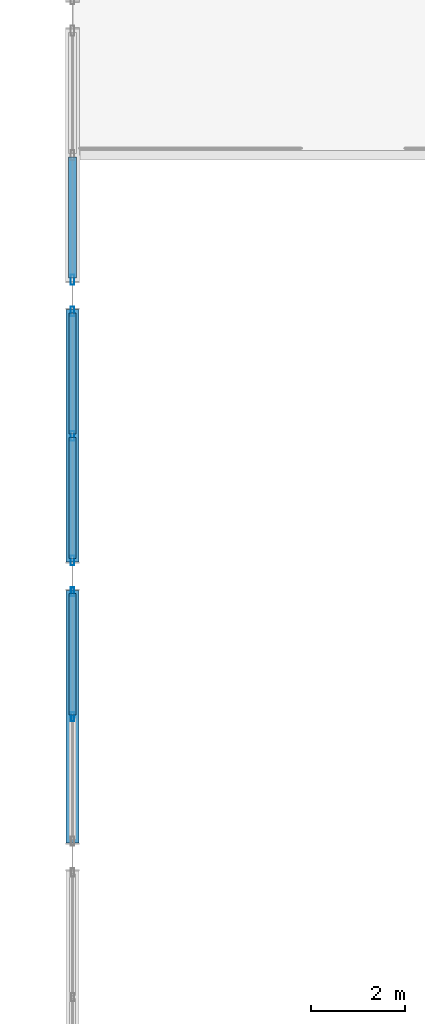
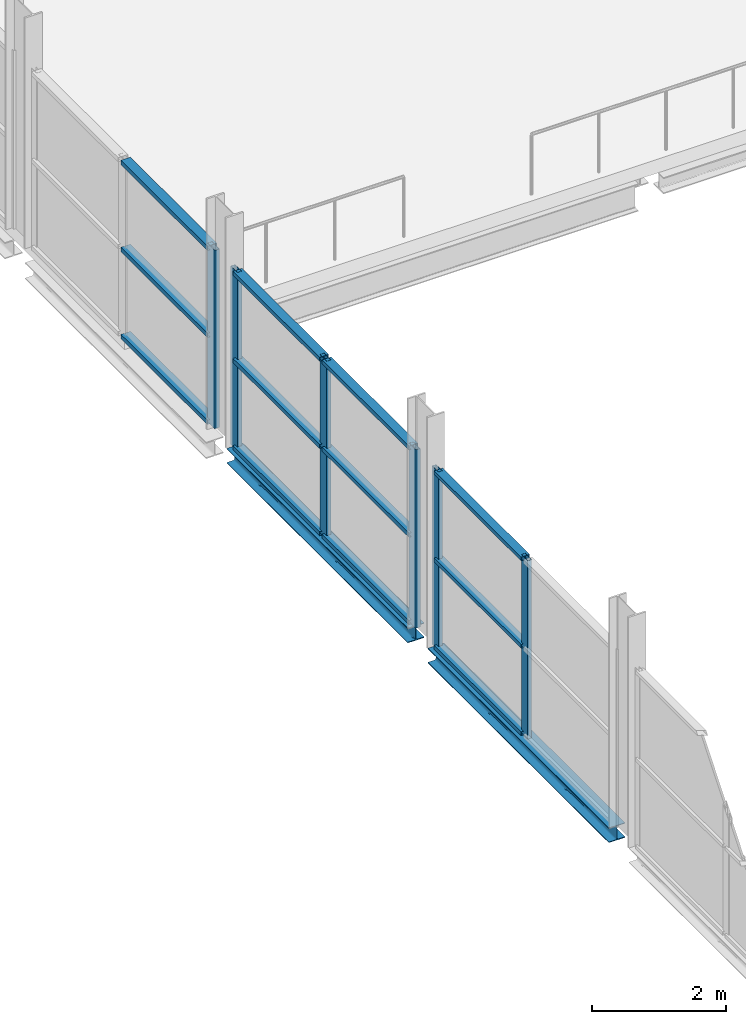
# One storey, part 27 of 135: 18 members, 2 beams, 3 elements without a shape of their own.
"""IFC4 building model written with IfcOpenShell, lengths in metres."""

from ifc_helpers import new_model, si_unit, direction, frame, origin, origin_2d, place, context, subcontext, project, spatial, hollow_rectangle, i_section, extrude, material, layer, layer_set, material_profile, profile_set, type_object, element, aggregate, save


model = new_model("IFC4")

# Units and contexts
model_context = context("Model", 3, precision=1e-05, world=origin(), true_north=direction((0.0, 1.0)))
body_context = subcontext(model_context, "Body", "Model", "MODEL_VIEW")
ifc_project = project(units=[si_unit("LENGTHUNIT", "METRE"), si_unit("AREAUNIT", "SQUARE_METRE"), si_unit("VOLUMEUNIT", "CUBIC_METRE"), si_unit("PLANEANGLEUNIT", "RADIAN"), si_unit("MASSUNIT", "GRAM", prefix="KILO")], contexts=[model_context])

# Site, building, storey
site_placement = place(None, origin())
site = spatial("IfcSite", under=ifc_project, at=site_placement, CompositionType="ELEMENT")
building_placement = place(site_placement, origin())
building = spatial("IfcBuilding", under=site, at=building_placement, Name="Deido Ridge Mobility Hub", CompositionType="ELEMENT")
storey_placement = place(building_placement, frame((0.0, 0.0, 4.199951171875)))
storey = spatial("IfcBuildingStorey", under=building, at=storey_placement, Name="L01", CompositionType="ELEMENT", Elevation=4.199951171875)

# Curtain wall, members
ifc_material_1 = material(Name="Anodised aluminium EN AW-6063 T6", Category="aluminium")
ifc_layer_1 = layer(ifc_material_1, 0.239990234375, Name="Anodised aluminium EN AW-6063 T6")
ifc_layer_set_1 = layer_set([ifc_layer_1], Name="Anodised aluminium EN AW-6063 T6")
curtain_wall_type_1 = type_object("IfcCurtainWallType", Name="CW-UF-6", PredefinedType="USERDEFINED", material=ifc_layer_set_1)
curtain_wall_1_placement = place(storey_placement, origin())
curtain_wall_1 = element("IfcCurtainWall", 1, at=curtain_wall_1_placement, inside=storey, type_object=curtain_wall_type_1, Name="Unitised curtain wall CW6", ObjectType="UNITISED FACADE", PredefinedType="USERDEFINED")
ifc_material_profile_1 = material_profile(ifc_material_1, hollow_rectangle(XDim=0.070068359375, YDim=0.18994140625, WallThickness=0.00390625, at=origin_2d()), Name="RHS 70x190x4")
ifc_profile_set_1 = profile_set([ifc_material_profile_1], Name="Anodised aluminium EN AW-6063 T6")
member_type_1 = type_object("IfcMemberType", Name="MEM-MUL-70X190", PredefinedType="MULLION", material=ifc_profile_set_1)
member_1_placement = place(storey_placement, frame((0.0, 15.0, 0.0), z_axis=(0.0, 0.0, 1.0), x_axis=(-1.0, 0.0, 0.0)))
member_1 = element("IfcMember", 2, at=member_1_placement, type_object=member_type_1, Name="CW6 mullion 2", PredefinedType="MULLION", context=body_context, shape_type="SweptSolid", body=[
    extrude(hollow_rectangle(XDim=0.070068359375, YDim=0.18994140625, WallThickness=0.00390625, at=origin_2d()), origin(), (0.0, 0.0, 1.0), 3.25),
])
member_2_placement = place(storey_placement, frame((0.0, 17.6650390625, 0.0), z_axis=(0.0, 0.0, 1.0), x_axis=(-1.0, 0.0, 0.0)))
member_2 = element("IfcMember", 3, at=member_2_placement, type_object=member_type_1, Name="CW6 mullion 3", PredefinedType="MULLION", context=body_context, shape_type="SweptSolid", body=[
    extrude(hollow_rectangle(XDim=0.070068359375, YDim=0.18994140625, WallThickness=0.00390625, at=origin_2d()), origin(), (0.0, 0.0, 1.0), 3.25),
])

ifc_layer_2 = layer(ifc_material_1, 0.2548828125, Name="Anodised aluminium EN AW-6063 T6")
ifc_layer_set_2 = layer_set([ifc_layer_2], Name="Anodised aluminium EN AW-6063 T6")
curtain_wall_type_2 = type_object("IfcCurtainWallType", Name="CW-UF-7", PredefinedType="USERDEFINED", material=ifc_layer_set_2)
curtain_wall_2_placement = place(storey_placement, origin())
curtain_wall_2 = element("IfcCurtainWall", 4, at=curtain_wall_2_placement, inside=storey, type_object=curtain_wall_type_2, Name="Unitised curtain wall CW7", ObjectType="UNITISED FACADE", PredefinedType="USERDEFINED")
ifc_material_profile_2 = material_profile(ifc_material_1, hollow_rectangle(XDim=0.074951171875, YDim=0.205078125, WallThickness=0.00390625, at=origin_2d()), Name="RHS 75x205x4")
ifc_profile_set_2 = profile_set([ifc_material_profile_2], Name="Anodised aluminium EN AW-6063 T6")
member_type_2 = type_object("IfcMemberType", Name="MEM-MUL-75X205", PredefinedType="MULLION", material=ifc_profile_set_2)
member_3_placement = place(storey_placement, frame((0.0, 18.33740234375, 0.0), z_axis=(0.0, 0.0, 1.0), x_axis=(-1.0, 0.0, 0.0)))
member_3 = element("IfcMember", 5, at=member_3_placement, type_object=member_type_2, Name="CW7 mullion 1", PredefinedType="MULLION", context=body_context, shape_type="SweptSolid", body=[
    extrude(hollow_rectangle(XDim=0.074951171875, YDim=0.205078125, WallThickness=0.00390625, at=origin_2d()), origin(), (0.0, 0.0, 1.0), 3.25),
])
member_4_placement = place(storey_placement, frame((0.0, 21.0, 0.0), z_axis=(0.0, 0.0, 1.0), x_axis=(-1.0, 0.0, 0.0)))
member_4 = element("IfcMember", 6, at=member_4_placement, type_object=member_type_2, Name="CW7 mullion 2", PredefinedType="MULLION", context=body_context, shape_type="SweptSolid", body=[
    extrude(hollow_rectangle(XDim=0.074951171875, YDim=0.205078125, WallThickness=0.00390625, at=origin_2d()), origin(), (0.0, 0.0, 1.0), 3.25),
])
member_5_placement = place(storey_placement, frame((0.0, 23.66259765625, 0.0), z_axis=(0.0, 0.0, 1.0), x_axis=(-1.0, 0.0, 0.0)))
member_5 = element("IfcMember", 7, at=member_5_placement, type_object=member_type_2, Name="CW7 mullion 3", PredefinedType="MULLION", context=body_context, shape_type="SweptSolid", body=[
    extrude(hollow_rectangle(XDim=0.074951171875, YDim=0.205078125, WallThickness=0.00390625, at=origin_2d()), origin(), (0.0, 0.0, 1.0), 3.25),
])

# Curtain wall, member
ifc_layer_3 = layer(ifc_material_1, 0.27001953125, Name="Anodised aluminium EN AW-6063 T6")
ifc_layer_set_3 = layer_set([ifc_layer_3], Name="Anodised aluminium EN AW-6063 T6")
curtain_wall_type_3 = type_object("IfcCurtainWallType", Name="CW-UF-8", PredefinedType="USERDEFINED", material=ifc_layer_set_3)
curtain_wall_3_placement = place(storey_placement, origin())
curtain_wall_3 = element("IfcCurtainWall", 8, at=curtain_wall_3_placement, inside=storey, type_object=curtain_wall_type_3, Name="Unitised curtain wall CW8", ObjectType="UNITISED FACADE", PredefinedType="USERDEFINED")
ifc_material_profile_3 = material_profile(ifc_material_1, hollow_rectangle(XDim=0.080078125, YDim=0.219970703125, WallThickness=0.00390625, at=origin_2d()), Name="RHS 80x220x4")
ifc_profile_set_3 = profile_set([ifc_material_profile_3], Name="Anodised aluminium EN AW-6063 T6")
member_type_3 = type_object("IfcMemberType", Name="MEM-MUL-80X220", PredefinedType="MULLION", material=ifc_profile_set_3)
member_6_placement = place(storey_placement, frame((0.0, 24.340087890625, 0.0), z_axis=(0.0, 0.0, 1.0), x_axis=(-1.0, 0.0, 0.0)))
member_6 = element("IfcMember", 9, at=member_6_placement, type_object=member_type_3, Name="CW8 mullion 1", PredefinedType="MULLION", context=body_context, shape_type="SweptSolid", body=[
    extrude(hollow_rectangle(XDim=0.080078125, YDim=0.219970703125, WallThickness=0.00390625, at=origin_2d()), origin(), (0.0, 0.0, 1.0), 3.25),
])

# Member
ifc_material_profile_4 = material_profile(ifc_material_1, hollow_rectangle(XDim=0.14501953125, YDim=0.070068359375, WallThickness=0.00390625, at=origin_2d()), Name="RHS 145x70x4")
ifc_profile_set_4 = profile_set([ifc_material_profile_4], Name="Anodised aluminium EN AW-6063 T6")
member_type_4 = type_object("IfcMemberType", Name="MEM-TRN-145X70", PredefinedType="USERDEFINED", material=ifc_profile_set_4)
member_7_placement = place(storey_placement, frame((0.0, 15.034912109375, 0.03515625), z_axis=(0.0, 1.0, 0.0), x_axis=(-1.0, 0.0, 0.0)))
member_7 = element("IfcMember", 10, at=member_7_placement, type_object=member_type_4, Name="CW6 transom 2.1", ObjectType="TRANSOM", PredefinedType="USERDEFINED", context=body_context, shape_type="SweptSolid", body=[
    extrude(hollow_rectangle(XDim=0.14501953125, YDim=0.070068359375, WallThickness=0.00390625, at=origin_2d()), origin(), (0.0, 0.0, 1.0), 2.594970703125),
])

member_8_placement = place(storey_placement, frame((0.0, 15.034912109375, 1.625), z_axis=(0.0, 1.0, 0.0), x_axis=(-1.0, 0.0, 0.0)))
member_8 = element("IfcMember", 11, at=member_8_placement, type_object=member_type_4, Name="CW6 transom 2.2", ObjectType="TRANSOM", PredefinedType="USERDEFINED", context=body_context, shape_type="SweptSolid", body=[
    extrude(hollow_rectangle(XDim=0.14501953125, YDim=0.070068359375, WallThickness=0.00390625, at=origin_2d()), origin(), (0.0, 0.0, 1.0), 2.594970703125),
])

member_9_placement = place(storey_placement, frame((0.0, 15.034912109375, 3.215087890625), z_axis=(0.0, 1.0, 0.0), x_axis=(-1.0, 0.0, 0.0)))
member_9 = element("IfcMember", 12, at=member_9_placement, type_object=member_type_4, Name="CW6 transom 2.3", ObjectType="TRANSOM", PredefinedType="USERDEFINED", context=body_context, shape_type="SweptSolid", body=[
    extrude(hollow_rectangle(XDim=0.14501953125, YDim=0.070068359375, WallThickness=0.00390625, at=origin_2d()), origin(), (0.0, 0.0, 1.0), 2.594970703125),
])

aggregate(curtain_wall_1, [member_1, member_2, member_7, member_8, member_9])

ifc_material_profile_5 = material_profile(ifc_material_1, hollow_rectangle(XDim=0.155029296875, YDim=0.074951171875, WallThickness=0.00390625, at=origin_2d()), Name="RHS 155x75x4")
ifc_profile_set_5 = profile_set([ifc_material_profile_5], Name="Anodised aluminium EN AW-6063 T6")
member_type_5 = type_object("IfcMemberType", Name="MEM-TRN-155X75", PredefinedType="USERDEFINED", material=ifc_profile_set_5)
member_10_placement = place(storey_placement, frame((0.0, 18.375, 0.03759765625), z_axis=(0.0, 1.0, 0.0), x_axis=(-1.0, 0.0, 0.0)))
member_10 = element("IfcMember", 13, at=member_10_placement, type_object=member_type_5, Name="CW7 transom 1.1", ObjectType="TRANSOM", PredefinedType="USERDEFINED", context=body_context, shape_type="SweptSolid", body=[
    extrude(hollow_rectangle(XDim=0.155029296875, YDim=0.074951171875, WallThickness=0.00390625, at=origin_2d()), origin(), (0.0, 0.0, 1.0), 2.58740234375),
])

member_11_placement = place(storey_placement, frame((0.0, 18.375, 1.625), z_axis=(0.0, 1.0, 0.0), x_axis=(-1.0, 0.0, 0.0)))
member_11 = element("IfcMember", 14, at=member_11_placement, type_object=member_type_5, Name="CW7 transom 1.2", ObjectType="TRANSOM", PredefinedType="USERDEFINED", context=body_context, shape_type="SweptSolid", body=[
    extrude(hollow_rectangle(XDim=0.155029296875, YDim=0.074951171875, WallThickness=0.00390625, at=origin_2d()), origin(), (0.0, 0.0, 1.0), 2.58740234375),
])

member_12_placement = place(storey_placement, frame((0.0, 18.375, 3.212646484375), z_axis=(0.0, 1.0, 0.0), x_axis=(-1.0, 0.0, 0.0)))
member_12 = element("IfcMember", 15, at=member_12_placement, type_object=member_type_5, Name="CW7 transom 1.3", ObjectType="TRANSOM", PredefinedType="USERDEFINED", context=body_context, shape_type="SweptSolid", body=[
    extrude(hollow_rectangle(XDim=0.155029296875, YDim=0.074951171875, WallThickness=0.00390625, at=origin_2d()), origin(), (0.0, 0.0, 1.0), 2.58740234375),
])

member_13_placement = place(storey_placement, frame((0.0, 21.03759765625, 0.03759765625), z_axis=(0.0, 1.0, 0.0), x_axis=(-1.0, 0.0, 0.0)))
member_13 = element("IfcMember", 16, at=member_13_placement, type_object=member_type_5, Name="CW7 transom 2.1", ObjectType="TRANSOM", PredefinedType="USERDEFINED", context=body_context, shape_type="SweptSolid", body=[
    extrude(hollow_rectangle(XDim=0.155029296875, YDim=0.074951171875, WallThickness=0.00390625, at=origin_2d()), origin(), (0.0, 0.0, 1.0), 2.58740234375),
])

member_14_placement = place(storey_placement, frame((0.0, 21.03759765625, 1.625), z_axis=(0.0, 1.0, 0.0), x_axis=(-1.0, 0.0, 0.0)))
member_14 = element("IfcMember", 17, at=member_14_placement, type_object=member_type_5, Name="CW7 transom 2.2", ObjectType="TRANSOM", PredefinedType="USERDEFINED", context=body_context, shape_type="SweptSolid", body=[
    extrude(hollow_rectangle(XDim=0.155029296875, YDim=0.074951171875, WallThickness=0.00390625, at=origin_2d()), origin(), (0.0, 0.0, 1.0), 2.58740234375),
])

member_15_placement = place(storey_placement, frame((0.0, 21.03759765625, 3.212646484375), z_axis=(0.0, 1.0, 0.0), x_axis=(-1.0, 0.0, 0.0)))
member_15 = element("IfcMember", 18, at=member_15_placement, type_object=member_type_5, Name="CW7 transom 2.3", ObjectType="TRANSOM", PredefinedType="USERDEFINED", context=body_context, shape_type="SweptSolid", body=[
    extrude(hollow_rectangle(XDim=0.155029296875, YDim=0.074951171875, WallThickness=0.00390625, at=origin_2d()), origin(), (0.0, 0.0, 1.0), 2.58740234375),
])

aggregate(curtain_wall_2, [member_3, member_4, member_5, member_10, member_11, member_12, member_13, member_14, member_15])

ifc_material_profile_6 = material_profile(ifc_material_1, hollow_rectangle(XDim=0.1650390625, YDim=0.080078125, WallThickness=0.00390625, at=origin_2d()), Name="RHS 165x80x4")
ifc_profile_set_6 = profile_set([ifc_material_profile_6], Name="Anodised aluminium EN AW-6063 T6")
member_type_6 = type_object("IfcMemberType", Name="MEM-TRN-165X80", PredefinedType="USERDEFINED", material=ifc_profile_set_6)
member_16_placement = place(storey_placement, frame((0.0, 24.3798828125, 0.0400390625), z_axis=(0.0, 1.0, 0.0), x_axis=(-1.0, 0.0, 0.0)))
member_16 = element("IfcMember", 19, at=member_16_placement, type_object=member_type_6, Name="CW8 transom 1.1", ObjectType="TRANSOM", PredefinedType="USERDEFINED", context=body_context, shape_type="SweptSolid", body=[
    extrude(hollow_rectangle(XDim=0.1650390625, YDim=0.080078125, WallThickness=0.00390625, at=origin_2d()), origin(), (0.0, 0.0, 1.0), 2.580078125),
])

member_17_placement = place(storey_placement, frame((0.0, 24.3798828125, 1.625), z_axis=(0.0, 1.0, 0.0), x_axis=(-1.0, 0.0, 0.0)))
member_17 = element("IfcMember", 20, at=member_17_placement, type_object=member_type_6, Name="CW8 transom 1.2", ObjectType="TRANSOM", PredefinedType="USERDEFINED", context=body_context, shape_type="SweptSolid", body=[
    extrude(hollow_rectangle(XDim=0.1650390625, YDim=0.080078125, WallThickness=0.00390625, at=origin_2d()), origin(), (0.0, 0.0, 1.0), 2.580078125),
])

member_18_placement = place(storey_placement, frame((0.0, 24.3798828125, 3.2099609375), z_axis=(0.0, 1.0, 0.0), x_axis=(-1.0, 0.0, 0.0)))
member_18 = element("IfcMember", 21, at=member_18_placement, type_object=member_type_6, Name="CW8 transom 1.3", ObjectType="TRANSOM", PredefinedType="USERDEFINED", context=body_context, shape_type="SweptSolid", body=[
    extrude(hollow_rectangle(XDim=0.1650390625, YDim=0.080078125, WallThickness=0.00390625, at=origin_2d()), origin(), (0.0, 0.0, 1.0), 2.580078125),
])

aggregate(curtain_wall_3, [member_6, member_16, member_17, member_18])

# Beams
ifc_material_2 = material(Name="Steel S355J2 EN 10025-2", Category="steel")
ifc_material_profile_7 = material_profile(ifc_material_2, i_section(OverallWidth=0.280029296875, OverallDepth=0.27001953125, WebThickness=0.008056640625, FlangeThickness=0.012939453125, FilletRadius=0.02392578125, at=origin_2d()), Name="HEA 280")
ifc_profile_set_7 = profile_set([ifc_material_profile_7], Name="Steel S355J2 EN 10025-2")
beam_type = type_object("IfcBeamType", Name="SPD-HEA280", PredefinedType="SPANDREL", material=ifc_profile_set_7)
for number, where, z_axis, x_axis, name in (
    (22, (0.0, 12.300048828125, -0.135009765625), (0.0, 1.0, 0.0), (-1.0, 0.0, 0.0), "Concourse perimeter wind girt SP2"),
    (23, (0.0, 18.300048828125, -0.135009765625), (0.0, 1.0, 0.0), (-1.0, 0.0, 0.0), "Concourse perimeter wind girt SP2"),
):
    element("IfcBeam", number, at=place(storey_placement, frame(where, z_axis=z_axis, x_axis=x_axis)), inside=storey, type_object=beam_type, Name=name, PredefinedType="SPANDREL", context=body_context, shape_type="SweptSolid", body=[
        extrude(i_section(OverallWidth=0.280029296875, OverallDepth=0.27001953125, WebThickness=0.008056640625, FlangeThickness=0.012939453125, FilletRadius=0.02392578125, at=origin_2d()), origin(), (0.0, 0.0, 1.0), 5.39990234375),
    ])

save(model, "model.ifc")
